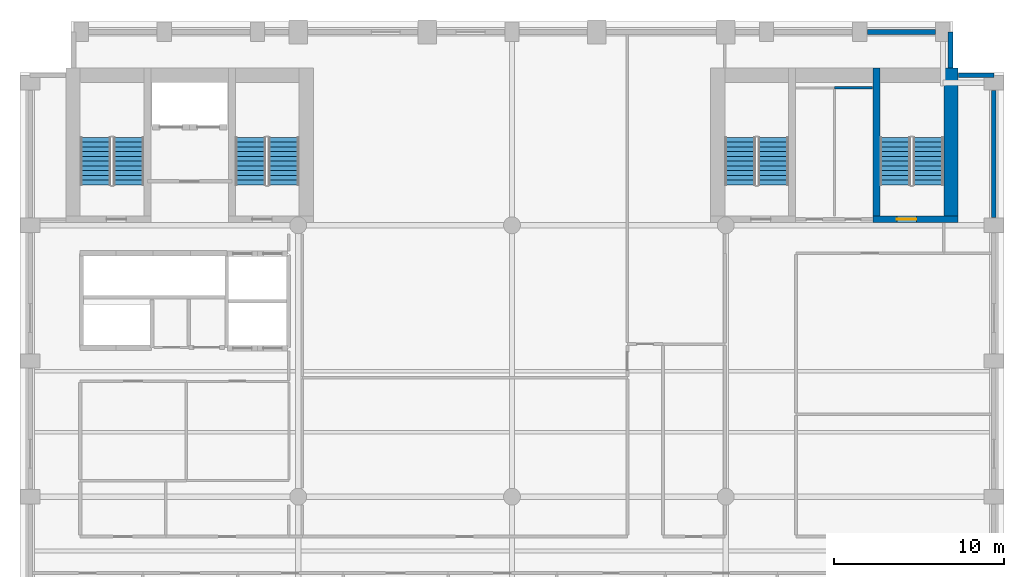
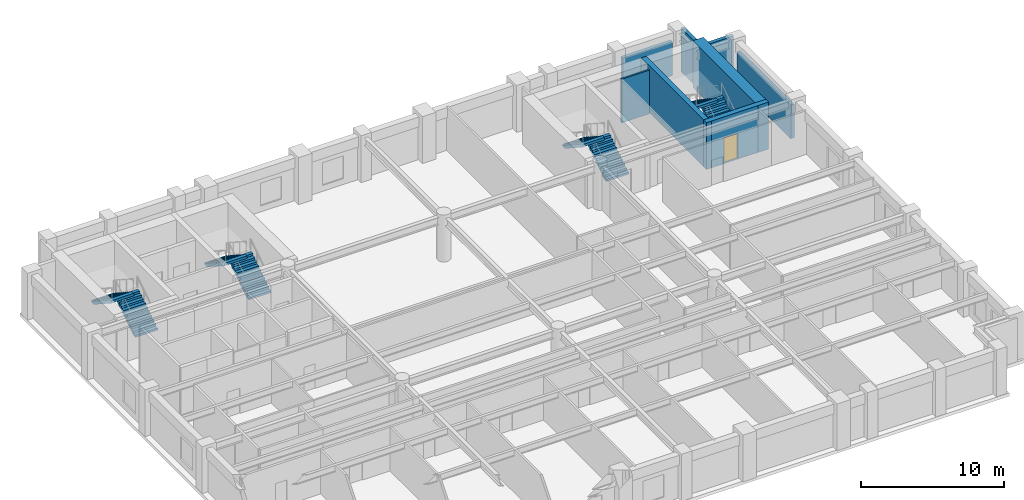
# One storey, part 6 of 8: 8 stair flights, 8 walls, 1 door, 1 opening, 4 elements without a shape of their own.
"""IFC4 building model written with IfcOpenShell, lengths in metres."""

from ifc_helpers import new_model, si_unit, direction, frame, frame_2d, origin, place, context, subcontext, project, spatial, polyline, rectangle, outline, extrude, material, layer, layer_set, type_object, element, fill, aggregate, save


model = new_model("IFC4")

# Units and contexts
model_context = context("Model", 3, precision=1e-05, world=origin(), true_north=direction((0.0, 1.0)))
body_context = subcontext(model_context, "Body", "Model", "MODEL_VIEW")
ifc_project = project(units=[si_unit("LENGTHUNIT", "METRE"), si_unit("AREAUNIT", "SQUARE_METRE"), si_unit("VOLUMEUNIT", "CUBIC_METRE"), si_unit("PLANEANGLEUNIT", "RADIAN"), si_unit("MASSUNIT", "GRAM", prefix="KILO")], contexts=[model_context])

# Site, building, storey
site_placement = place(None, origin())
site = spatial("IfcSite", under=ifc_project, at=site_placement, CompositionType="ELEMENT")
building_placement = place(site_placement, origin())
building = spatial("IfcBuilding", under=site, at=building_placement, Name="Sulina Concourse Tower", CompositionType="ELEMENT")
storey_placement = place(building_placement, frame((0.0, 0.0, 144.60009765625)))
storey = spatial("IfcBuildingStorey", under=building, at=storey_placement, Name="L35", CompositionType="ELEMENT", Elevation=144.60009765625)

# Wall
ifc_material_1 = material(Name="Gypsum board on steel stud", Category="steel")
ifc_layer_1 = layer(ifc_material_1, 0.14990234375)
ifc_layer_set_1 = layer_set([ifc_layer_1], Name="Gypsum board on steel stud")
wall_type_1 = type_object("IfcWallType", Name="Inter-Tenancy Acoustic Partition 150mm", PredefinedType="PARTITIONING", material=ifc_layer_set_1)
wall_1_placement = place(storey_placement, frame((48.0, 42.10009765625, 0.0), z_axis=(0.0, 0.0, 1.0), x_axis=(1.0, 0.0, 0.0)))
element("IfcWall", 1, at=wall_1_placement, inside=storey, type_object=wall_type_1, Name="L35 interior partition 031", PredefinedType="PARTITIONING", context=body_context, shape_type="SweptSolid", body=[
    extrude(rectangle(XDim=2.25, YDim=0.14990234375, at=frame_2d((1.125, 0.0))), origin(), (0.0, 0.0, 1.0), 3.724853515625),
])

# Wall, opening, door
ifc_material_2 = material(Name="Concrete C60/75", Category="concrete")
ifc_layer_2 = layer(ifc_material_2, 0.39990234375)
ifc_layer_set_2 = layer_set([ifc_layer_2], Name="Concrete C60/75")
wall_type_2 = type_object("IfcWallType", Name="Protected Stair Core Shear Wall 400mm", PredefinedType="SHEAR", material=ifc_layer_set_2)
wall_2_placement = place(storey_placement, frame((50.2900390625, 34.35009765625, 0.0), z_axis=(0.0, 0.0, 1.0), x_axis=(1.0, 0.0, 0.0)))
wall_2 = element("IfcWall", 2, at=wall_2_placement, inside=storey, type_object=wall_type_2, Name="L35 east core shear wall CW-ES2", PredefinedType="SHEAR", context=body_context, shape_type="SweptSolid", body=[
    extrude(rectangle(XDim=5.010009765625, YDim=0.39990234375, at=frame_2d((2.5048828125, 0.0))), origin(), (0.0, 0.0, 1.0), 4.0),
])
opening_placement = place(wall_2_placement, frame((1.39990234375, 0.0, 0.0)))
opening = element("IfcOpeningElement", 3, at=opening_placement, cuts=wall_2, Name="Opening DR-60", PredefinedType="OPENING", context=body_context, shape_type="SweptSolid", body=[
    extrude(rectangle(XDim=1.14990234375, YDim=2.199951171875, at=frame_2d((0.574951171875, 1.10009765625))), frame((0.0, 0.2099609375, 0.0), z_axis=(0.0, -1.0, 0.0), x_axis=(1.0, 0.0, 0.0)), (0.0, 0.0, 1.0), 0.419921875),
])
ifc_material_3 = material(Name="Galvanised steel acoustic fire leaf", Category="steel")
ifc_layer_3 = layer(ifc_material_3, 0.054931640625)
ifc_layer_set_3 = layer_set([ifc_layer_3], Name="Galvanised steel acoustic fire leaf")
door_type = type_object("IfcDoorType", Name="Protected Exit Stair Fire Door 1150x2200", OperationType="NOTDEFINED", PredefinedType="DOOR", material=ifc_layer_set_3)
door_placement = place(opening_placement, origin())
door = element("IfcDoor", 4, at=door_placement, inside=storey, type_object=door_type, Name="L35 stair ST-4 south lobby fire door", OperationType="SINGLE_SWING_RIGHT", OverallHeight=2.199951171875, OverallWidth=1.14990234375, PredefinedType="DOOR", context=body_context, shape_type="SweptSolid", body=[
    extrude(rectangle(XDim=1.14990234375, YDim=2.199951171875, at=frame_2d((0.574951171875, 1.10009765625))), frame((0.0, 0.02490234375, 0.0), z_axis=(0.0, -1.0, 0.0), x_axis=(1.0, 0.0, 0.0)), (0.0, 0.0, 1.0), 0.050048828125),
])
fill(opening, door)

# Walls
wall_3_placement = place(storey_placement, frame((50.489990234375, 34.14990234375, 0.0), z_axis=(0.0, 0.0, 1.0), x_axis=(0.0, 1.0, 0.0)))
element("IfcWall", 5, at=wall_3_placement, inside=storey, type_object=wall_type_2, Name="L35 east core shear wall SW-ST4", PredefinedType="SHEAR", context=body_context, shape_type="SweptSolid", body=[
    extrude(rectangle(XDim=9.130126953125, YDim=0.39990234375, at=frame_2d((4.56494140625, 0.0))), origin(), (0.0, 0.0, 1.0), 4.0),
])
ifc_material_4 = material(Name="Concrete C60/75", Category="concrete")
ifc_layer_4 = layer(ifc_material_4, 0.85009765625)
ifc_layer_set_4 = layer_set([ifc_layer_4], Name="Concrete C60/75")
wall_type_3 = type_object("IfcWallType", Name="Rear Core Shear Wall 850mm", PredefinedType="SHEAR", material=ifc_layer_set_4)
wall_4_placement = place(storey_placement, frame((54.875, 34.14990234375, 0.0), z_axis=(0.0, 0.0, 1.0), x_axis=(0.0, 1.0, 0.0)))
element("IfcWall", 6, at=wall_4_placement, inside=storey, type_object=wall_type_3, Name="L35 east core shear wall CW-EE", PredefinedType="SHEAR", context=body_context, shape_type="SweptSolid", body=[
    extrude(rectangle(XDim=9.130126953125, YDim=0.85009765625, at=frame_2d((4.56494140625, 0.0))), origin(), (0.0, 0.0, 1.0), 4.0),
])
ifc_material_5 = material(Name="Precast concrete C50/60", Category="concrete")
ifc_layer_5 = layer(ifc_material_5, 0.280029296875)
ifc_layer_set_5 = layer_set([ifc_layer_5], Name="Precast concrete C50/60")
wall_type_4 = type_object("IfcWallType", Name="Typical Precast Masonry-Frame Facade Wall 280mm", PredefinedType="SOLIDWALL", material=ifc_layer_set_5)
wall_5_placement = place(storey_placement, frame((49.945068359375, 45.39990234375, 0.0), z_axis=(0.0, 0.0, 1.0), x_axis=(1.0, 0.0, 0.0)))
element("IfcWall", 7, at=wall_5_placement, inside=storey, type_object=wall_type_4, Name="L35 exterior precast wall N10", PredefinedType="SOLIDWALL", context=body_context, shape_type="SweptSolid", body=[
    extrude(rectangle(XDim=4.010009765625, YDim=0.280029296875, at=frame_2d((2.0048828125, 0.0))), origin(), (0.0, 0.0, 1.0), 2.875),
])
wall_6_placement = place(storey_placement, frame((57.39990234375, 41.955078125, 0.0), z_axis=(0.0, 0.0, 1.0), x_axis=(0.0, -1.0, 0.0)))
element("IfcWall", 8, at=wall_6_placement, inside=storey, type_object=wall_type_4, Name="L35 exterior precast wall E5", PredefinedType="SOLIDWALL", context=body_context, shape_type="SweptSolid", body=[
    extrude(rectangle(XDim=7.510009765625, YDim=0.280029296875, at=frame_2d((3.7548828125, 0.0))), origin(), (0.0, 0.0, 1.0), 2.875),
])
wall_7_placement = place(storey_placement, frame((54.844970703125, 45.39990234375, 0.0), z_axis=(0.0, 0.0, 1.0), x_axis=(0.0, -1.0, 0.0)))
element("IfcWall", 9, at=wall_7_placement, inside=storey, type_object=wall_type_4, Name="L35 exterior precast wall CNE1", PredefinedType="SOLIDWALL", context=body_context, shape_type="SweptSolid", body=[
    extrude(rectangle(XDim=2.114990234375, YDim=0.280029296875, at=frame_2d((1.0576171875, 0.0))), origin(), (0.0, 0.0, 1.0), 3.724853515625),
])
wall_8_placement = place(storey_placement, frame((55.304931640625, 42.844970703125, 0.0), z_axis=(0.0, 0.0, 1.0), x_axis=(1.0, 0.0, 0.0)))
element("IfcWall", 10, at=wall_8_placement, inside=storey, type_object=wall_type_4, Name="L35 exterior precast wall CNE2", PredefinedType="SOLIDWALL", context=body_context, shape_type="SweptSolid", body=[
    extrude(rectangle(XDim=2.094970703125, YDim=0.280029296875, at=frame_2d((1.04736328125, 0.0))), origin(), (0.0, 0.0, 1.0), 3.724853515625),
])

# Stair, stair flights
ifc_material_6 = material(Name="Concrete C50/60", Category="concrete")
stair_type_1 = type_object("IfcStairType", Name="Portal & Podium Core Exit Stair 1820mm", PredefinedType="HALF_TURN_STAIR", material=ifc_material_6)
stair_1_placement = place(storey_placement, origin())
stair_1 = element("IfcStair", 11, at=stair_1_placement, inside=storey, type_object=stair_type_1, Name="L35 ST-3", PredefinedType="HALF_TURN_STAIR")
ifc_material_7 = material(Name="Concrete C50/60", Category="concrete")
stair_flight_type_1 = type_object("IfcStairFlightType", Name="Portal & Podium Core Exit Stair 1820mm Flight", PredefinedType="STRAIGHT", material=ifc_material_7)
stair_flight_1_placement = place(storey_placement, frame((44.405029296875, 36.375, 0.0), z_axis=(0.0, 0.0, 1.0), x_axis=(0.0, 1.0, 0.0)))
stair_flight_1 = element("IfcStairFlight", 12, at=stair_flight_1_placement, type_object=stair_flight_type_1, Name="ST-3 flight 1", NumberOfRisers=11, NumberOfTreads=10, PredefinedType="STRAIGHT", RiserHeight=0.181818182, TreadLength=0.28, context=body_context, shape_type="SweptSolid", body=[
    extrude(outline(polyline([(0.0, 0.0), (0.0, 0.181884765625), (0.280029296875, 0.181884765625), (0.280029296875, 0.363525390625), (0.56005859375, 0.363525390625), (0.56005859375, 0.54541015625), (0.840087890625, 0.54541015625), (0.840087890625, 0.727294921875), (1.1201171875, 0.727294921875), (1.1201171875, 0.9091796875), (1.39990234375, 0.9091796875), (1.39990234375, 1.0908203125), (1.679931640625, 1.0908203125), (1.679931640625, 1.272705078125), (1.9599609375, 1.272705078125), (1.9599609375, 1.45458984375), (2.239990234375, 1.45458984375), (2.239990234375, 1.636474609375), (2.52001953125, 1.636474609375), (2.52001953125, 1.818115234375), (2.800048828125, 1.818115234375), (2.800048828125, 2.0), (2.800048828125, 1.603759765625), (0.330322265625, 0.0), (0.0, 0.0)])), frame((0.0, 0.89990234375, 0.0), z_axis=(0.0, -1.0, 0.0), x_axis=(1.0, 0.0, 0.0)), (0.0, 0.0, 1.0), 1.800048828125),
])
stair_flight_2_placement = place(storey_placement, frame((42.455078125, 39.175048828125, 2.0), z_axis=(0.0, 0.0, 1.0), x_axis=(0.0, -1.0, 0.0)))
stair_flight_2 = element("IfcStairFlight", 13, at=stair_flight_2_placement, type_object=stair_flight_type_1, Name="ST-3 flight 2", NumberOfRisers=11, NumberOfTreads=10, PredefinedType="STRAIGHT", RiserHeight=0.181818182, TreadLength=0.28, context=body_context, shape_type="SweptSolid", body=[
    extrude(outline(polyline([(0.0, 0.0), (0.0, 0.181884765625), (0.280029296875, 0.181884765625), (0.280029296875, 0.363525390625), (0.56005859375, 0.363525390625), (0.56005859375, 0.54541015625), (0.840087890625, 0.54541015625), (0.840087890625, 0.727294921875), (1.1201171875, 0.727294921875), (1.1201171875, 0.9091796875), (1.39990234375, 0.9091796875), (1.39990234375, 1.0908203125), (1.679931640625, 1.0908203125), (1.679931640625, 1.272705078125), (1.9599609375, 1.272705078125), (1.9599609375, 1.45458984375), (2.239990234375, 1.45458984375), (2.239990234375, 1.636474609375), (2.52001953125, 1.636474609375), (2.52001953125, 1.818115234375), (2.800048828125, 1.818115234375), (2.800048828125, 2.0), (2.800048828125, 1.603759765625), (0.330322265625, 0.0), (0.0, 0.0)])), frame((0.0, 0.89990234375, 0.0), z_axis=(0.0, -1.0, 0.0), x_axis=(1.0, 0.0, 0.0)), (0.0, 0.0, 1.0), 1.800048828125),
])
aggregate(stair_1, [stair_flight_1, stair_flight_2])

stair_2_placement = place(storey_placement, origin())
stair_2 = element("IfcStair", 14, at=stair_2_placement, inside=storey, type_object=stair_type_1, Name="L35 ST-4", PredefinedType="HALF_TURN_STAIR")
stair_flight_3_placement = place(storey_placement, frame((53.544921875, 36.375, 0.0), z_axis=(0.0, 0.0, 1.0), x_axis=(0.0, 1.0, 0.0)))
stair_flight_3 = element("IfcStairFlight", 15, at=stair_flight_3_placement, type_object=stair_flight_type_1, Name="ST-4 flight 1", NumberOfRisers=11, NumberOfTreads=10, PredefinedType="STRAIGHT", RiserHeight=0.181818182, TreadLength=0.28, context=body_context, shape_type="SweptSolid", body=[
    extrude(outline(polyline([(0.0, 0.0), (0.0, 0.181884765625), (0.280029296875, 0.181884765625), (0.280029296875, 0.363525390625), (0.56005859375, 0.363525390625), (0.56005859375, 0.54541015625), (0.840087890625, 0.54541015625), (0.840087890625, 0.727294921875), (1.1201171875, 0.727294921875), (1.1201171875, 0.9091796875), (1.39990234375, 0.9091796875), (1.39990234375, 1.0908203125), (1.679931640625, 1.0908203125), (1.679931640625, 1.272705078125), (1.9599609375, 1.272705078125), (1.9599609375, 1.45458984375), (2.239990234375, 1.45458984375), (2.239990234375, 1.636474609375), (2.52001953125, 1.636474609375), (2.52001953125, 1.818115234375), (2.800048828125, 1.818115234375), (2.800048828125, 2.0), (2.800048828125, 1.603759765625), (0.330322265625, 0.0), (0.0, 0.0)])), frame((0.0, 0.89990234375, 0.0), z_axis=(0.0, -1.0, 0.0), x_axis=(1.0, 0.0, 0.0)), (0.0, 0.0, 1.0), 1.800048828125),
])
stair_flight_4_placement = place(storey_placement, frame((51.594970703125, 39.175048828125, 2.0), z_axis=(0.0, 0.0, 1.0), x_axis=(0.0, -1.0, 0.0)))
stair_flight_4 = element("IfcStairFlight", 16, at=stair_flight_4_placement, type_object=stair_flight_type_1, Name="ST-4 flight 2", NumberOfRisers=11, NumberOfTreads=10, PredefinedType="STRAIGHT", RiserHeight=0.181818182, TreadLength=0.28, context=body_context, shape_type="SweptSolid", body=[
    extrude(outline(polyline([(0.0, 0.0), (0.0, 0.181884765625), (0.280029296875, 0.181884765625), (0.280029296875, 0.363525390625), (0.56005859375, 0.363525390625), (0.56005859375, 0.54541015625), (0.840087890625, 0.54541015625), (0.840087890625, 0.727294921875), (1.1201171875, 0.727294921875), (1.1201171875, 0.9091796875), (1.39990234375, 0.9091796875), (1.39990234375, 1.0908203125), (1.679931640625, 1.0908203125), (1.679931640625, 1.272705078125), (1.9599609375, 1.272705078125), (1.9599609375, 1.45458984375), (2.239990234375, 1.45458984375), (2.239990234375, 1.636474609375), (2.52001953125, 1.636474609375), (2.52001953125, 1.818115234375), (2.800048828125, 1.818115234375), (2.800048828125, 2.0), (2.800048828125, 1.603759765625), (0.330322265625, 0.0), (0.0, 0.0)])), frame((0.0, 0.89990234375, 0.0), z_axis=(0.0, -1.0, 0.0), x_axis=(1.0, 0.0, 0.0)), (0.0, 0.0, 1.0), 1.800048828125),
])
aggregate(stair_2, [stair_flight_3, stair_flight_4])

ifc_material_8 = material(Name="Concrete C50/60", Category="concrete")
stair_type_2 = type_object("IfcStairType", Name="Primary Core Dog-Leg Exit Stair 1800mm", PredefinedType="HALF_TURN_STAIR", material=ifc_material_8)
stair_3_placement = place(storey_placement, origin())
stair_3 = element("IfcStair", 17, at=stair_3_placement, inside=storey, type_object=stair_type_2, Name="L35 ST-1", PredefinedType="HALF_TURN_STAIR")
ifc_material_9 = material(Name="Concrete C50/60", Category="concrete")
stair_flight_type_2 = type_object("IfcStairFlightType", Name="Primary Core Dog-Leg Exit Stair 1800mm Flight", PredefinedType="STRAIGHT", material=ifc_material_9)
stair_flight_5_placement = place(storey_placement, frame((6.405029296875, 36.375, 0.0), z_axis=(0.0, 0.0, 1.0), x_axis=(0.0, 1.0, 0.0)))
stair_flight_5 = element("IfcStairFlight", 18, at=stair_flight_5_placement, type_object=stair_flight_type_2, Name="ST-1 flight 1", NumberOfRisers=11, NumberOfTreads=10, PredefinedType="STRAIGHT", RiserHeight=0.181818182, TreadLength=0.28, context=body_context, shape_type="SweptSolid", body=[
    extrude(outline(polyline([(0.0, 0.0), (0.0, 0.181884765625), (0.280029296875, 0.181884765625), (0.280029296875, 0.363525390625), (0.56005859375, 0.363525390625), (0.56005859375, 0.54541015625), (0.840087890625, 0.54541015625), (0.840087890625, 0.727294921875), (1.1201171875, 0.727294921875), (1.1201171875, 0.9091796875), (1.39990234375, 0.9091796875), (1.39990234375, 1.0908203125), (1.679931640625, 1.0908203125), (1.679931640625, 1.272705078125), (1.9599609375, 1.272705078125), (1.9599609375, 1.45458984375), (2.239990234375, 1.45458984375), (2.239990234375, 1.636474609375), (2.52001953125, 1.636474609375), (2.52001953125, 1.818115234375), (2.800048828125, 1.818115234375), (2.800048828125, 2.0), (2.800048828125, 1.603759765625), (0.330322265625, 0.0), (0.0, 0.0)])), frame((0.0, 0.89990234375, 0.0), z_axis=(0.0, -1.0, 0.0), x_axis=(1.0, 0.0, 0.0)), (0.0, 0.0, 1.0), 1.800048828125),
])
stair_flight_6_placement = place(storey_placement, frame((4.455078125, 39.175048828125, 2.0), z_axis=(0.0, 0.0, 1.0), x_axis=(0.0, -1.0, 0.0)))
stair_flight_6 = element("IfcStairFlight", 19, at=stair_flight_6_placement, type_object=stair_flight_type_2, Name="ST-1 flight 2", NumberOfRisers=11, NumberOfTreads=10, PredefinedType="STRAIGHT", RiserHeight=0.181818182, TreadLength=0.28, context=body_context, shape_type="SweptSolid", body=[
    extrude(outline(polyline([(0.0, 0.0), (0.0, 0.181884765625), (0.280029296875, 0.181884765625), (0.280029296875, 0.363525390625), (0.56005859375, 0.363525390625), (0.56005859375, 0.54541015625), (0.840087890625, 0.54541015625), (0.840087890625, 0.727294921875), (1.1201171875, 0.727294921875), (1.1201171875, 0.9091796875), (1.39990234375, 0.9091796875), (1.39990234375, 1.0908203125), (1.679931640625, 1.0908203125), (1.679931640625, 1.272705078125), (1.9599609375, 1.272705078125), (1.9599609375, 1.45458984375), (2.239990234375, 1.45458984375), (2.239990234375, 1.636474609375), (2.52001953125, 1.636474609375), (2.52001953125, 1.818115234375), (2.800048828125, 1.818115234375), (2.800048828125, 2.0), (2.800048828125, 1.603759765625), (0.330322265625, 0.0), (0.0, 0.0)])), frame((0.0, 0.89990234375, 0.0), z_axis=(0.0, -1.0, 0.0), x_axis=(1.0, 0.0, 0.0)), (0.0, 0.0, 1.0), 1.800048828125),
])
aggregate(stair_3, [stair_flight_5, stair_flight_6])

stair_4_placement = place(storey_placement, origin())
stair_4 = element("IfcStair", 20, at=stair_4_placement, inside=storey, type_object=stair_type_2, Name="L35 ST-2", PredefinedType="HALF_TURN_STAIR")
stair_flight_7_placement = place(storey_placement, frame((15.544921875, 36.375, 0.0), z_axis=(0.0, 0.0, 1.0), x_axis=(0.0, 1.0, 0.0)))
stair_flight_7 = element("IfcStairFlight", 21, at=stair_flight_7_placement, type_object=stair_flight_type_2, Name="ST-2 flight 1", NumberOfRisers=11, NumberOfTreads=10, PredefinedType="STRAIGHT", RiserHeight=0.181818182, TreadLength=0.28, context=body_context, shape_type="SweptSolid", body=[
    extrude(outline(polyline([(0.0, 0.0), (0.0, 0.181884765625), (0.280029296875, 0.181884765625), (0.280029296875, 0.363525390625), (0.56005859375, 0.363525390625), (0.56005859375, 0.54541015625), (0.840087890625, 0.54541015625), (0.840087890625, 0.727294921875), (1.1201171875, 0.727294921875), (1.1201171875, 0.9091796875), (1.39990234375, 0.9091796875), (1.39990234375, 1.0908203125), (1.679931640625, 1.0908203125), (1.679931640625, 1.272705078125), (1.9599609375, 1.272705078125), (1.9599609375, 1.45458984375), (2.239990234375, 1.45458984375), (2.239990234375, 1.636474609375), (2.52001953125, 1.636474609375), (2.52001953125, 1.818115234375), (2.800048828125, 1.818115234375), (2.800048828125, 2.0), (2.800048828125, 1.603759765625), (0.330322265625, 0.0), (0.0, 0.0)])), frame((0.0, 0.89990234375, 0.0), z_axis=(0.0, -1.0, 0.0), x_axis=(1.0, 0.0, 0.0)), (0.0, 0.0, 1.0), 1.800048828125),
])
stair_flight_8_placement = place(storey_placement, frame((13.594970703125, 39.175048828125, 2.0), z_axis=(0.0, 0.0, 1.0), x_axis=(0.0, -1.0, 0.0)))
stair_flight_8 = element("IfcStairFlight", 22, at=stair_flight_8_placement, type_object=stair_flight_type_2, Name="ST-2 flight 2", NumberOfRisers=11, NumberOfTreads=10, PredefinedType="STRAIGHT", RiserHeight=0.181818182, TreadLength=0.28, context=body_context, shape_type="SweptSolid", body=[
    extrude(outline(polyline([(0.0, 0.0), (0.0, 0.181884765625), (0.280029296875, 0.181884765625), (0.280029296875, 0.363525390625), (0.56005859375, 0.363525390625), (0.56005859375, 0.54541015625), (0.840087890625, 0.54541015625), (0.840087890625, 0.727294921875), (1.1201171875, 0.727294921875), (1.1201171875, 0.9091796875), (1.39990234375, 0.9091796875), (1.39990234375, 1.0908203125), (1.679931640625, 1.0908203125), (1.679931640625, 1.272705078125), (1.9599609375, 1.272705078125), (1.9599609375, 1.45458984375), (2.239990234375, 1.45458984375), (2.239990234375, 1.636474609375), (2.52001953125, 1.636474609375), (2.52001953125, 1.818115234375), (2.800048828125, 1.818115234375), (2.800048828125, 2.0), (2.800048828125, 1.603759765625), (0.330322265625, 0.0), (0.0, 0.0)])), frame((0.0, 0.89990234375, 0.0), z_axis=(0.0, -1.0, 0.0), x_axis=(1.0, 0.0, 0.0)), (0.0, 0.0, 1.0), 1.800048828125),
])
aggregate(stair_4, [stair_flight_7, stair_flight_8])

save(model, "model.ifc")
